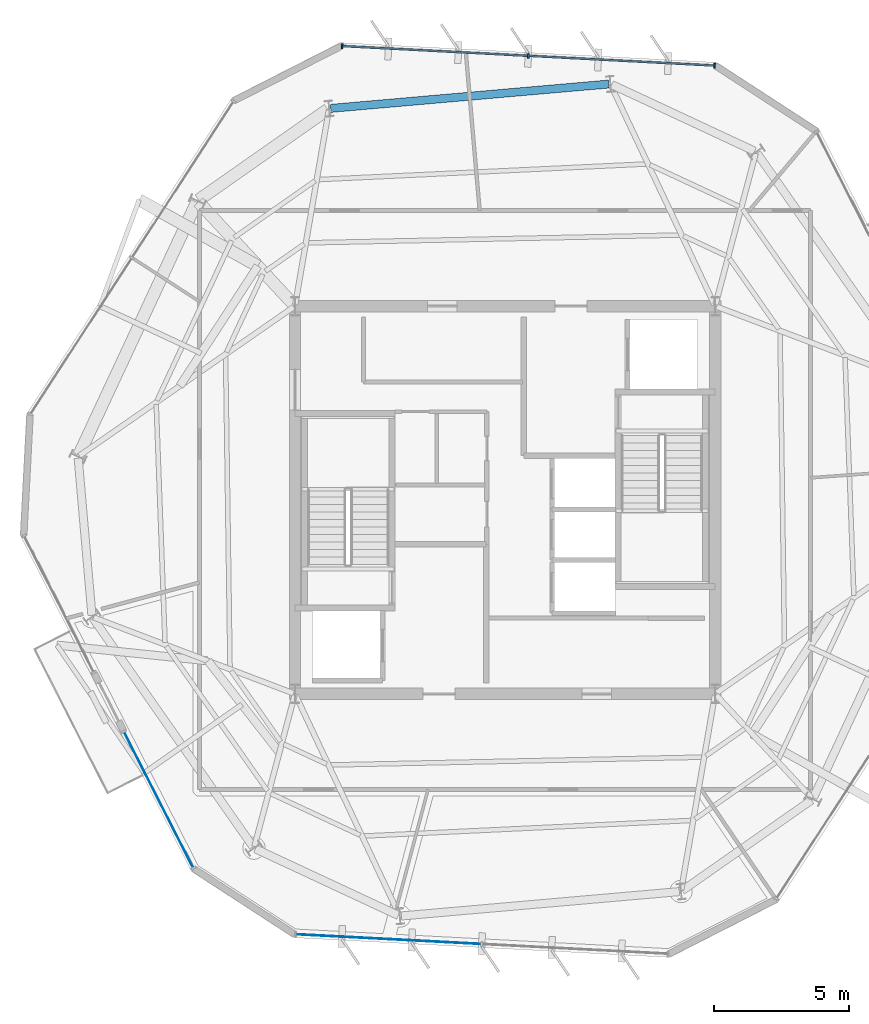
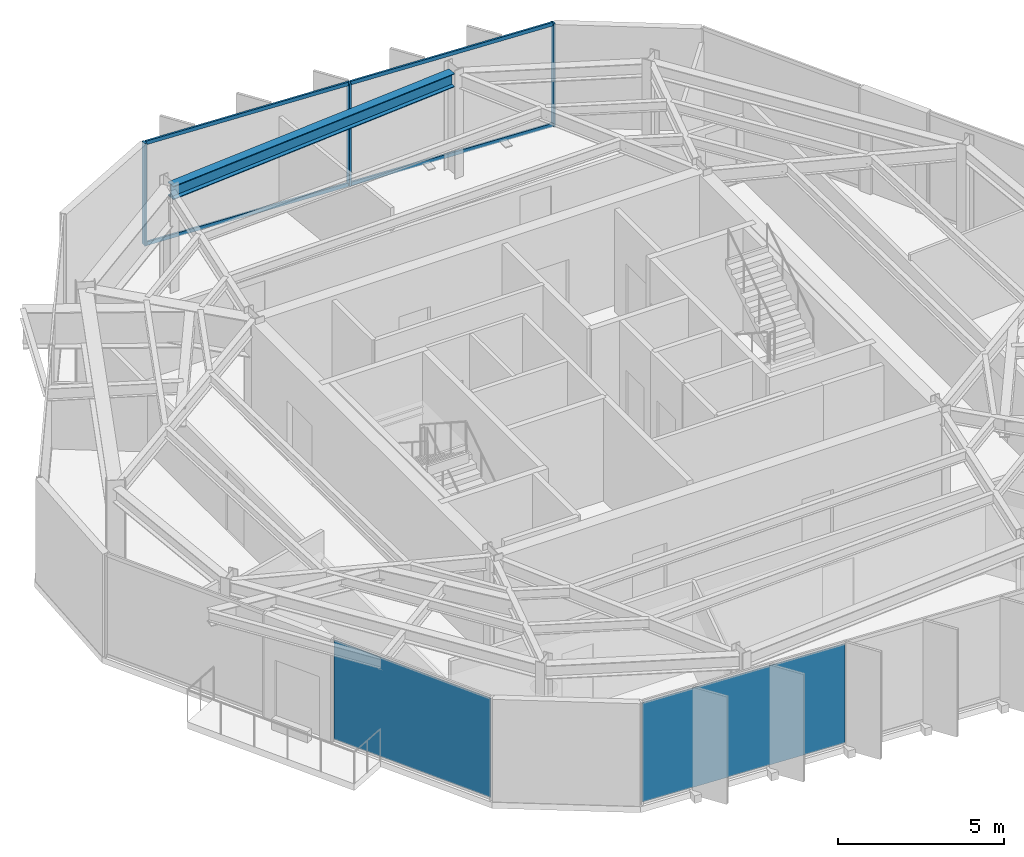
# One storey, part 6 of 11: 7 members, 2 plates, 1 beam, 3 elements without a shape of their own.
"""IFC4 building model written with IfcOpenShell, lengths in metres."""

from ifc_helpers import new_model, si_unit, direction, frame, origin, origin_2d, place, context, subcontext, project, spatial, rectangle, i_section, extrude, material, layer, layer_set, material_profile, profile_set, type_object, element, aggregate, save


model = new_model("IFC4")

# Units and contexts
model_context = context("Model", 3, precision=1e-05, world=origin(), true_north=direction((0.0, 1.0)))
body_context = subcontext(model_context, "Body", "Model", "MODEL_VIEW")
ifc_project = project(units=[si_unit("LENGTHUNIT", "METRE"), si_unit("AREAUNIT", "SQUARE_METRE"), si_unit("VOLUMEUNIT", "CUBIC_METRE"), si_unit("PLANEANGLEUNIT", "RADIAN"), si_unit("MASSUNIT", "GRAM", prefix="KILO")], contexts=[model_context])

# Site, building, storey
site_placement = place(None, origin())
site = spatial("IfcSite", under=ifc_project, at=site_placement, CompositionType="ELEMENT")
building_placement = place(site_placement, origin())
building = spatial("IfcBuilding", under=site, at=building_placement, Name="Kranzbogen Civic Tower", CompositionType="ELEMENT")
storey_placement = place(building_placement, frame((0.0, 0.0, 254.199951171875)))
storey = spatial("IfcBuildingStorey", under=building, at=storey_placement, Name="L61", CompositionType="ELEMENT", Elevation=254.199951171875)

# Curtain wall, members
ifc_material_1 = material(Name="Pale Anodised Aluminium", Category="aluminium")
ifc_layer_1 = layer(ifc_material_1, 0.219970703125, Name="Pale Anodised Aluminium")
ifc_layer_set_1 = layer_set([ifc_layer_1], Name="Pale Anodised Aluminium")
curtain_wall_type = type_object("IfcCurtainWallType", Name="Zone 4 Stick Curtain Wall System CW-05", PredefinedType="USERDEFINED", material=ifc_layer_set_1)
curtain_wall_1_placement = place(storey_placement, origin())
curtain_wall_1 = element("IfcCurtainWall", 1, at=curtain_wall_1_placement, inside=storey, type_object=curtain_wall_type, Name="L61 curtain wall CW-L61-F1", ObjectType="STICK CURTAIN WALL", PredefinedType="USERDEFINED")
ifc_material_profile_1 = material_profile(ifc_material_1, rectangle(XDim=0.06494140625, YDim=0.179931640625, at=origin_2d()), Name="ALU-M 65x180")
ifc_profile_set_1 = profile_set([ifc_material_profile_1], Name="Pale Anodised Aluminium")
member_type_1 = type_object("IfcMemberType", Name="Curtain Wall Mullion ALU-M 65x180", PredefinedType="MULLION", material=ifc_profile_set_1)
member_1_placement = place(storey_placement, frame((32.780029296875, 41.127685546875, 0.0), z_axis=(0.0, 0.0, 1.0), x_axis=(-0.998629521461, 0.052336209893, 0.0)))
member_1 = element("IfcMember", 2, at=member_1_placement, type_object=member_type_1, Name="CW-05 mullion 1", PredefinedType="MULLION", context=body_context, shape_type="SweptSolid", body=[
    extrude(rectangle(XDim=0.06494140625, YDim=0.179931640625, at=origin_2d()), origin(), (0.0, 0.0, 1.0), 3.780029296875),
])
member_2_placement = place(storey_placement, frame((25.864501953125, 41.489990234375, 0.0), z_axis=(0.0, 0.0, 1.0), x_axis=(-0.998629521461, 0.052336209893, 0.0)))
member_2 = element("IfcMember", 3, at=member_2_placement, type_object=member_type_1, Name="CW-05 mullion 2", PredefinedType="MULLION", context=body_context, shape_type="SweptSolid", body=[
    extrude(rectangle(XDim=0.06494140625, YDim=0.179931640625, at=origin_2d()), origin(), (0.0, 0.0, 1.0), 3.780029296875),
])
member_3_placement = place(storey_placement, frame((18.948974609375, 41.8525390625, 0.0), z_axis=(0.0, 0.0, 1.0), x_axis=(-0.998629521461, 0.052336209893, 0.0)))
member_3 = element("IfcMember", 4, at=member_3_placement, type_object=member_type_1, Name="CW-05 mullion 3", PredefinedType="MULLION", context=body_context, shape_type="SweptSolid", body=[
    extrude(rectangle(XDim=0.06494140625, YDim=0.179931640625, at=origin_2d()), origin(), (0.0, 0.0, 1.0), 3.780029296875),
])
ifc_material_profile_2 = material_profile(ifc_material_1, rectangle(XDim=0.06494140625, YDim=0.135009765625, at=origin_2d()), Name="ALU-T 65x135")
ifc_profile_set_2 = profile_set([ifc_material_profile_2], Name="Pale Anodised Aluminium")
member_type_2 = type_object("IfcMemberType", Name="Curtain Wall Transom ALU-T 65x135", PredefinedType="USERDEFINED", material=ifc_profile_set_2)
member_4_placement = place(storey_placement, frame((32.75, 41.129150390625, 0.030029296875), z_axis=(-0.998628810584, 0.052349772407, 0.0), x_axis=(-0.052349772407, -0.998628810584, 0.0)))
member_4 = element("IfcMember", 5, at=member_4_placement, type_object=member_type_2, Name="CW-05 transom 1.1", ObjectType="TRANSOM", PredefinedType="USERDEFINED", context=body_context, shape_type="SweptSolid", body=[
    extrude(rectangle(XDim=0.06494140625, YDim=0.135009765625, at=origin_2d()), origin(), (0.0, 0.0, 1.0), 6.864990234375),
])
member_5_placement = place(storey_placement, frame((32.75, 41.129150390625, 3.75), z_axis=(-0.998628810584, 0.052349772407, 0.0), x_axis=(-0.052349772407, -0.998628810584, 0.0)))
member_5 = element("IfcMember", 6, at=member_5_placement, type_object=member_type_2, Name="CW-05 transom 1.2", ObjectType="TRANSOM", PredefinedType="USERDEFINED", context=body_context, shape_type="SweptSolid", body=[
    extrude(rectangle(XDim=0.06494140625, YDim=0.135009765625, at=origin_2d()), origin(), (0.0, 0.0, 1.0), 6.864990234375),
])
member_6_placement = place(storey_placement, frame((25.83447265625, 41.491455078125, 0.030029296875), z_axis=(-0.998628810584, 0.052349772407, 0.0), x_axis=(-0.052349772407, -0.998628810584, 0.0)))
member_6 = element("IfcMember", 7, at=member_6_placement, type_object=member_type_2, Name="CW-05 transom 2.1", ObjectType="TRANSOM", PredefinedType="USERDEFINED", context=body_context, shape_type="SweptSolid", body=[
    extrude(rectangle(XDim=0.06494140625, YDim=0.135009765625, at=origin_2d()), origin(), (0.0, 0.0, 1.0), 6.864990234375),
])
member_7_placement = place(storey_placement, frame((25.83447265625, 41.491455078125, 3.75), z_axis=(-0.998628810584, 0.052349772407, 0.0), x_axis=(-0.052349772407, -0.998628810584, 0.0)))
member_7 = element("IfcMember", 8, at=member_7_placement, type_object=member_type_2, Name="CW-05 transom 2.2", ObjectType="TRANSOM", PredefinedType="USERDEFINED", context=body_context, shape_type="SweptSolid", body=[
    extrude(rectangle(XDim=0.06494140625, YDim=0.135009765625, at=origin_2d()), origin(), (0.0, 0.0, 1.0), 6.864990234375),
])
aggregate(curtain_wall_1, [member_1, member_2, member_3, member_4, member_5, member_6, member_7])

# Beam
ifc_material_2 = material(Name="Steel S355", Category="steel")
ifc_material_profile_3 = material_profile(ifc_material_2, i_section(OverallWidth=0.300048828125, OverallDepth=0.5, WebThickness=0.014404296875, FlangeThickness=0.028076171875, at=origin_2d()), Name="HEB 500")
ifc_profile_set_3 = profile_set([ifc_material_profile_3], Name="Steel S355")
beam_type = type_object("IfcBeamType", Name="Perimeter Tube Spandrel Beam HEB 500", PredefinedType="SPANDREL", material=ifc_profile_set_3)
beam_placement = place(storey_placement, frame((28.84912109375, 40.445068359375, 3.530029296875), z_axis=(-0.996186373839, -0.087250837114, 0.0), x_axis=(0.087250837114, -0.996186373839, 0.0)))
element("IfcBeam", 9, at=beam_placement, inside=storey, type_object=beam_type, Name="L61 perimeter spandrel beam 09", PredefinedType="SPANDREL", context=body_context, shape_type="SweptSolid", body=[
    extrude(i_section(OverallWidth=0.300048828125, OverallDepth=0.5, WebThickness=0.014404296875, FlangeThickness=0.028076171875, at=origin_2d()), origin(), (0.0, 0.0, 1.0), 10.361572265625),
])

# Curtain wall, plate
curtain_wall_2_placement = place(storey_placement, origin())
curtain_wall_2 = element("IfcCurtainWall", 10, at=curtain_wall_2_placement, inside=storey, type_object=curtain_wall_type, Name="L61 curtain wall CW-L61-F3-S2", ObjectType="STICK CURTAIN WALL", PredefinedType="USERDEFINED")
ifc_material_3 = material(Name="Low-E Triple Glazing Glass", Category="glass")
ifc_layer_2 = layer(ifc_material_3, 0.028076171875, Name="Low-E Triple Glazing Glass")
ifc_layer_set_2 = layer_set([ifc_layer_2], Name="Low-E Triple Glazing Glass")
plate_type = type_object("IfcPlateType", Name="Insulated Low-E Glazing Panel 28 mm", PredefinedType="CURTAIN_PANEL", material=ifc_layer_set_2)
plate_1_placement = place(storey_placement, frame((12.138427734375, 13.87060546875, 0.06005859375), z_axis=(0.0, 0.0, 1.0), x_axis=(0.453941395905, -0.891031542138, 0.0)))
plate_1 = element("IfcPlate", 11, at=plate_1_placement, type_object=plate_type, Name="CW-05 panel 1.1", PredefinedType="CURTAIN_PANEL", context=body_context, shape_type="SweptSolid", body=[
    extrude(rectangle(XDim=5.63623046875, YDim=0.028076171875, at=origin_2d()), origin(), (0.0, 0.0, 1.0), 3.659912109375),
])
aggregate(curtain_wall_2, [plate_1])

curtain_wall_3_placement = place(storey_placement, origin())
curtain_wall_3 = element("IfcCurtainWall", 12, at=curtain_wall_3_placement, inside=storey, type_object=curtain_wall_type, Name="L61 curtain wall CW-L61-F4", ObjectType="STICK CURTAIN WALL", PredefinedType="USERDEFINED")
plate_2_placement = place(storey_placement, frame((20.677734375, 8.691162109375, 0.06005859375), z_axis=(0.0, 0.0, 1.0), x_axis=(0.998629521461, -0.052336209893, 0.0)))
plate_2 = element("IfcPlate", 13, at=plate_2_placement, type_object=plate_type, Name="CW-05 panel 1.1", PredefinedType="CURTAIN_PANEL", context=body_context, shape_type="SweptSolid", body=[
    extrude(rectangle(XDim=6.864990234375, YDim=0.028076171875, at=origin_2d()), origin(), (0.0, 0.0, 1.0), 3.659912109375),
])
aggregate(curtain_wall_3, [plate_2])

save(model, "model.ifc")
